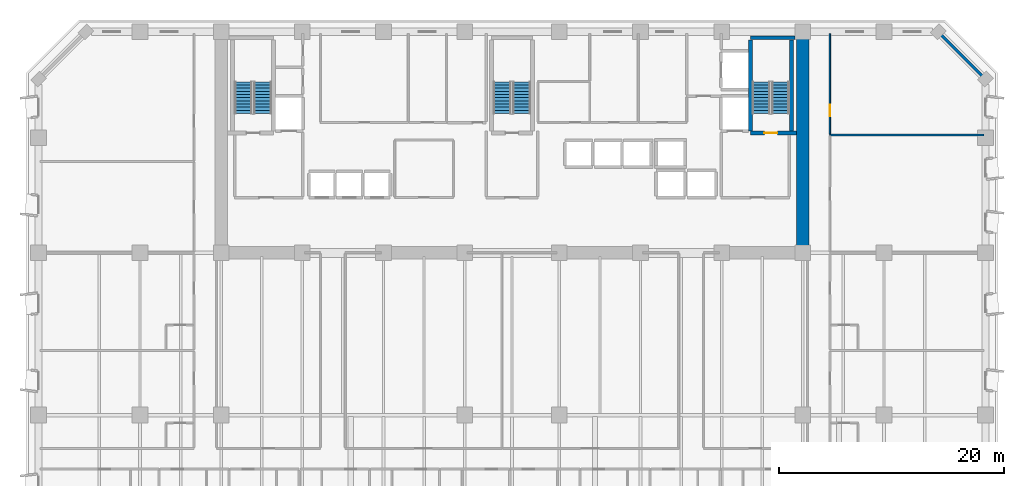
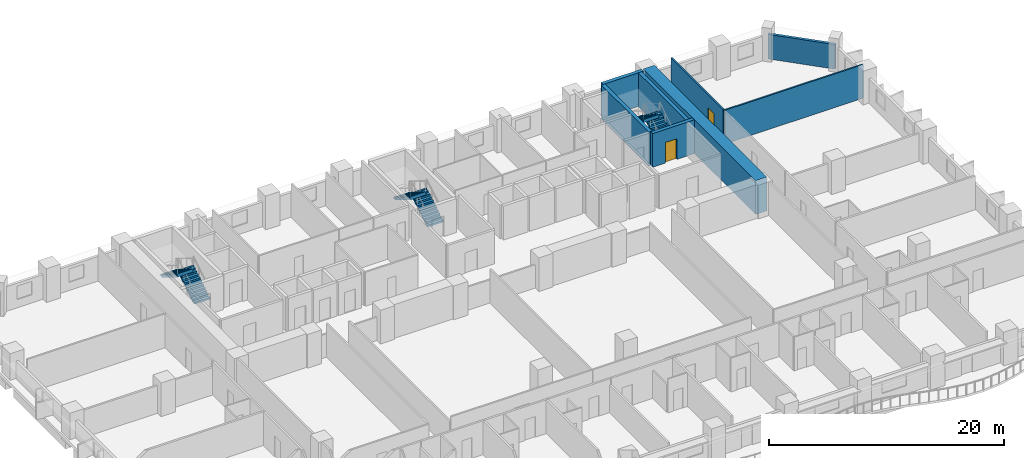
# One storey, part 11 of 15: 8 walls, 6 stair flights, 2 doors, 2 openings, 3 elements without a shape of their own.
"""IFC4 building model written with IfcOpenShell, lengths in metres."""

from ifc_helpers import new_model, si_unit, direction, frame, frame_2d, origin, place, context, subcontext, project, spatial, polyline, rectangle, outline, extrude, material, layer, layer_set, type_object, element, fill, aggregate, save


model = new_model("IFC4")

# Units and contexts
model_context = context("Model", 3, precision=1e-05, world=origin(), true_north=direction((0.0, 1.0)))
body_context = subcontext(model_context, "Body", "Model", "MODEL_VIEW")
ifc_project = project(units=[si_unit("LENGTHUNIT", "METRE"), si_unit("AREAUNIT", "SQUARE_METRE"), si_unit("VOLUMEUNIT", "CUBIC_METRE"), si_unit("PLANEANGLEUNIT", "RADIAN"), si_unit("MASSUNIT", "GRAM", prefix="KILO")], contexts=[model_context])

# Site, building, storey
site_placement = place(None, origin())
site = spatial("IfcSite", under=ifc_project, at=site_placement, CompositionType="ELEMENT")
building_placement = place(site_placement, origin())
building = spatial("IfcBuilding", under=site, at=building_placement, Name="Kaelvorn Grand Hotel", CompositionType="ELEMENT")
storey_placement = place(building_placement, frame((0.0, 0.0, 42.64990234375)))
storey = spatial("IfcBuildingStorey", under=building, at=storey_placement, Name="L08", CompositionType="ELEMENT", Elevation=42.64990234375)

# Walls
ifc_material_1 = material(Name="Concrete C80/95", Category="concrete")
ifc_layer_1 = layer(ifc_material_1, 1.10009765625)
ifc_layer_set_1 = layer_set([ifc_layer_1], Name="Concrete C80/95")
wall_type_1 = type_object("IfcWallType", Name="WL-CORE-1100-C80", PredefinedType="SHEAR", material=ifc_layer_set_1)
wall_1_placement = place(storey_placement, frame((67.800048828125, 29.39990234375, 0.0), z_axis=(0.0, 0.0, 1.0), x_axis=(0.0, 1.0, 0.0)))
element("IfcWall", 1, at=wall_1_placement, inside=storey, type_object=wall_type_1, Name="L08 Rear-Core East Shear Wall", PredefinedType="SHEAR", context=body_context, shape_type="SweptSolid", body=[
    extrude(rectangle(XDim=19.2001953125, YDim=1.10009765625, at=frame_2d((9.60009765625, 0.0))), origin(), (0.0, 0.0, 1.0), 3.510009765625),
])
ifc_material_2 = material(Name="Concrete C40/50", Category="concrete")
ifc_layer_2 = layer(ifc_material_2, 0.260009765625)
ifc_layer_set_2 = layer_set([ifc_layer_2], Name="Concrete C40/50")
wall_type_2 = type_object("IfcWallType", Name="WL-EXT-260-C40", PredefinedType="SOLIDWALL", material=ifc_layer_set_2)
wall_2_placement = place(storey_placement, frame((84.0, 44.800048828125, 0.0), z_axis=(0.0, 0.0, 1.0), x_axis=(-0.707106781187, 0.707106781187, 0.0)))
element("IfcWall", 2, at=wall_2_placement, inside=storey, type_object=wall_type_2, Name="L08 Exterior Architectural Concrete Wall 04", PredefinedType="SOLIDWALL", context=body_context, shape_type="SweptSolid", body=[
    extrude(rectangle(XDim=5.939697265625, YDim=0.260009765625, at=frame_2d((2.9697265625, 0.0))), origin(), (0.0, 0.0, 1.0), 2.56005859375),
])
ifc_material_3 = material(Name="Acoustic Gypsum & Stud Partition")
ifc_layer_3 = layer(ifc_material_3, 0.14990234375)
ifc_layer_set_3 = layer_set([ifc_layer_3], Name="Acoustic Gypsum & Stud Partition")
wall_type_3 = type_object("IfcWallType", Name="WL-PART-150-EI60", PredefinedType="PARTITIONING", material=ifc_layer_set_3)
wall_3_placement = place(storey_placement, frame((70.199951171875, 39.85009765625, 0.0), z_axis=(0.0, 0.0, 1.0), x_axis=(1.0, 0.0, 0.0)))
element("IfcWall", 3, at=wall_3_placement, inside=storey, type_object=wall_type_3, Name="L08 North-East Wellness Fitness Gym N Partition", PredefinedType="PARTITIONING", context=body_context, shape_type="SweptSolid", body=[
    extrude(rectangle(XDim=13.650146484375, YDim=0.14990234375, at=frame_2d((6.8251953125, 0.0))), origin(), (0.0, 0.0, 1.0), 3.510009765625),
])

# Wall, opening, door
wall_4_placement = place(storey_placement, frame((70.199951171875, 39.929931640625, 0.0), z_axis=(0.0, 0.0, 1.0), x_axis=(0.0, 1.0, 0.0)))
wall_4 = element("IfcWall", 4, at=wall_4_placement, inside=storey, type_object=wall_type_3, Name="L08 North-East Private Dining Restaurant W Partition", PredefinedType="PARTITIONING", context=body_context, shape_type="SweptSolid", body=[
    extrude(rectangle(XDim=8.920166015625, YDim=0.14990234375, at=frame_2d((4.4599609375, 0.0))), origin(), (0.0, 0.0, 1.0), 3.510009765625),
])
opening_1_placement = place(wall_4_placement, frame((1.60009765625, 0.0, 0.0)))
opening_1 = element("IfcOpeningElement", 5, at=opening_1_placement, cuts=wall_4, Name="Opening DI3", PredefinedType="OPENING", context=body_context, shape_type="SweptSolid", body=[
    extrude(rectangle(XDim=1.0, YDim=2.14990234375, at=frame_2d((0.5, 1.074951171875))), frame((0.0, 0.0849609375, 0.0), z_axis=(0.0, -1.0, 0.0), x_axis=(1.0, 0.0, 0.0)), (0.0, 0.0, 1.0), 0.169921875),
])
ifc_material_4 = material(Name="Timber Veneer Fire Leaf", Category="wood")
door_type_1 = type_object("IfcDoorType", Name="DR-INT-GUEST-1000x2150", OperationType="NOTDEFINED", PredefinedType="DOOR", material=ifc_material_4)
door_1_placement = place(opening_1_placement, origin())
door_1 = element("IfcDoor", 6, at=door_1_placement, inside=storey, type_object=door_type_1, Name="L08 North-East Private Dining Restaurant Door", OperationType="SINGLE_SWING_RIGHT", OverallHeight=2.14990234375, OverallWidth=1.0, PredefinedType="DOOR", context=body_context, shape_type="SweptSolid", body=[
    extrude(rectangle(XDim=1.0, YDim=2.14990234375, at=frame_2d((0.5, 1.074951171875))), frame((0.0, 0.02490234375, 0.0), z_axis=(0.0, -1.0, 0.0), x_axis=(1.0, 0.0, 0.0)), (0.0, 0.0, 1.0), 0.050048828125),
])
fill(opening_1, door_1)

ifc_material_5 = material(Name="Concrete C60/75", Category="concrete")
ifc_layer_4 = layer(ifc_material_5, 0.35009765625)
ifc_layer_set_4 = layer_set([ifc_layer_4], Name="Concrete C60/75")
wall_type_4 = type_object("IfcWallType", Name="WL-SHAFT-350-C60", PredefinedType="SHEAR", material=ifc_layer_set_4)
wall_5_placement = place(storey_placement, frame((63.14501953125, 40.02490234375, 0.0), z_axis=(0.0, 0.0, 1.0), x_axis=(1.0, 0.0, 0.0)))
wall_5 = element("IfcWall", 7, at=wall_5_placement, inside=storey, type_object=wall_type_4, Name="L08 ST3 Stair Shaft South Wall", PredefinedType="SHEAR", context=body_context, shape_type="SweptSolid", body=[
    extrude(rectangle(XDim=4.10009765625, YDim=0.35009765625, at=frame_2d((2.050048828125, 0.0))), origin(), (0.0, 0.0, 1.0), 3.510009765625),
])
opening_2_placement = place(wall_5_placement, frame((1.239990234375, 0.0, 0.0)))
opening_2 = element("IfcOpeningElement", 8, at=opening_2_placement, cuts=wall_5, Name="Opening DI1", PredefinedType="OPENING", context=body_context, shape_type="SweptSolid", body=[
    extrude(rectangle(XDim=1.14990234375, YDim=2.14990234375, at=frame_2d((0.574951171875, 1.074951171875))), frame((0.0, 0.18505859375, 0.0), z_axis=(0.0, -1.0, 0.0), x_axis=(1.0, 0.0, 0.0)), (0.0, 0.0, 1.0), 0.3701171875),
])
door_type_2 = type_object("IfcDoorType", Name="DR-INT-STAIR-1150x2150", OperationType="NOTDEFINED", PredefinedType="DOOR", material=ifc_material_4)
door_2_placement = place(opening_2_placement, origin())
door_2 = element("IfcDoor", 9, at=door_2_placement, inside=storey, type_object=door_type_2, Name="L08 ST3 Exit Stair Fire Door", OperationType="SINGLE_SWING_LEFT", OverallHeight=2.14990234375, OverallWidth=1.14990234375, PredefinedType="DOOR", context=body_context, shape_type="SweptSolid", body=[
    extrude(rectangle(XDim=1.14990234375, YDim=2.14990234375, at=frame_2d((0.574951171875, 1.074951171875))), frame((0.0, 0.02490234375, 0.0), z_axis=(0.0, -1.0, 0.0), x_axis=(1.0, 0.0, 0.0)), (0.0, 0.0, 1.0), 0.050048828125),
])
fill(opening_2, door_2)

# Walls
wall_6_placement = place(storey_placement, frame((63.14501953125, 48.47509765625, 0.0), z_axis=(0.0, 0.0, 1.0), x_axis=(1.0, 0.0, 0.0)))
element("IfcWall", 10, at=wall_6_placement, inside=storey, type_object=wall_type_4, Name="L08 ST3 Stair Shaft North Wall", PredefinedType="SHEAR", context=body_context, shape_type="SweptSolid", body=[
    extrude(rectangle(XDim=3.949951171875, YDim=0.35009765625, at=frame_2d((1.97509765625, 0.0))), origin(), (0.0, 0.0, 1.0), 3.510009765625),
])
for number, where, z_axis, x_axis, name in (
    (11, (63.14501953125, 40.205078125, 0.0), (0.0, 0.0, 1.0), (0.0, 1.0, 0.0), "L08 ST3 Stair Shaft West Wall"),
    (12, (66.77490234375, 40.205078125, 0.0), (0.0, 0.0, 1.0), (0.0, 1.0, 0.0), "L08 ST3 Stair Shaft East Wall"),
):
    element("IfcWall", number, at=place(storey_placement, frame(where, z_axis=z_axis, x_axis=x_axis)), inside=storey, type_object=wall_type_4, Name=name, PredefinedType="SHEAR", context=body_context, shape_type="SweptSolid", body=[
        extrude(rectangle(XDim=8.08984375, YDim=0.35009765625, at=frame_2d((4.044921875, 0.0))), origin(), (0.0, 0.0, 1.0), 3.510009765625),
    ])

# Stair, stair flights
stair_type = type_object("IfcStairType", Name="STR-DOG-1560-R06", PredefinedType="HALF_TURN_STAIR", material=ifc_material_2)
stair_1_placement = place(storey_placement, origin())
stair_1 = element("IfcStair", 13, at=stair_1_placement, inside=storey, type_object=stair_type, Name="L08 West Core Exit Stair ST1", PredefinedType="HALF_TURN_STAIR")
stair_flight_type = type_object("IfcStairFlightType", Name="FLG-DOG-1560-R06", PredefinedType="STRAIGHT", material=ifc_material_2)
stair_flight_1_placement = place(storey_placement, frame((19.89990234375, 41.760009765625, 0.0), z_axis=(0.0, 0.0, 1.0), x_axis=(0.0, 1.0, 0.0)))
stair_flight_1 = element("IfcStairFlight", 14, at=stair_flight_1_placement, type_object=stair_flight_type, Name="ST1 flight 1", NumberOfRisers=11, NumberOfTreads=10, PredefinedType="STRAIGHT", RiserHeight=0.170454545, TreadLength=0.28, context=body_context, shape_type="SweptSolid", body=[
    extrude(outline(polyline([(-0.0048828125, 0.0), (-0.0048828125, 0.0400390625), (0.0, 0.17041015625), (0.280029296875, 0.17041015625), (0.280029296875, 0.3408203125), (0.56005859375, 0.3408203125), (0.56005859375, 0.511474609375), (0.840087890625, 0.511474609375), (0.840087890625, 0.681884765625), (1.1201171875, 0.681884765625), (1.1201171875, 0.852294921875), (1.39990234375, 0.852294921875), (1.39990234375, 1.022705078125), (1.679931640625, 1.022705078125), (1.679931640625, 1.193115234375), (1.9599609375, 1.193115234375), (1.9599609375, 1.363525390625), (2.239990234375, 1.363525390625), (2.239990234375, 1.5341796875), (2.52001953125, 1.5341796875), (2.52001953125, 1.70458984375), (2.800048828125, 1.70458984375), (2.800048828125, 1.875), (2.804931640625, 1.875), (2.804931640625, 1.529052734375), (0.288330078125, 0.0), (-0.0048828125, 0.0)])), frame((0.0, 0.780029296875, 0.0), z_axis=(0.0, -1.0, 0.0), x_axis=(1.0, 0.0, 0.0)), (0.0, 0.0, 1.0), 1.56005859375),
])
stair_flight_2_placement = place(storey_placement, frame((18.179931640625, 44.56005859375, 1.875), z_axis=(0.0, 0.0, 1.0), x_axis=(0.0, -1.0, 0.0)))
stair_flight_2 = element("IfcStairFlight", 15, at=stair_flight_2_placement, type_object=stair_flight_type, Name="ST1 flight 2", NumberOfRisers=11, NumberOfTreads=10, PredefinedType="STRAIGHT", RiserHeight=0.170454545, TreadLength=0.28, context=body_context, shape_type="SweptSolid", body=[
    extrude(outline(polyline([(-0.0048828125, 0.0), (-0.0048828125, 0.0400390625), (0.0, 0.17041015625), (0.280029296875, 0.17041015625), (0.280029296875, 0.3408203125), (0.56005859375, 0.3408203125), (0.56005859375, 0.511474609375), (0.840087890625, 0.511474609375), (0.840087890625, 0.681884765625), (1.1201171875, 0.681884765625), (1.1201171875, 0.852294921875), (1.39990234375, 0.852294921875), (1.39990234375, 1.022705078125), (1.679931640625, 1.022705078125), (1.679931640625, 1.193115234375), (1.9599609375, 1.193115234375), (1.9599609375, 1.363525390625), (2.239990234375, 1.363525390625), (2.239990234375, 1.5341796875), (2.52001953125, 1.5341796875), (2.52001953125, 1.70458984375), (2.800048828125, 1.70458984375), (2.800048828125, 1.875), (2.804931640625, 1.875), (2.804931640625, 1.529052734375), (0.288330078125, 0.0), (-0.0048828125, 0.0)])), frame((0.0, 0.780029296875, 0.0), z_axis=(0.0, -1.0, 0.0), x_axis=(1.0, 0.0, 0.0)), (0.0, 0.0, 1.0), 1.56005859375),
])
aggregate(stair_1, [stair_flight_1, stair_flight_2])

stair_2_placement = place(storey_placement, origin())
stair_2 = element("IfcStair", 16, at=stair_2_placement, inside=storey, type_object=stair_type, Name="L08 Central Core Exit Stair ST2", PredefinedType="HALF_TURN_STAIR")
stair_flight_3_placement = place(storey_placement, frame((42.860107421875, 41.760009765625, 0.0), z_axis=(0.0, 0.0, 1.0), x_axis=(0.0, 1.0, 0.0)))
stair_flight_3 = element("IfcStairFlight", 17, at=stair_flight_3_placement, type_object=stair_flight_type, Name="ST2 flight 1", NumberOfRisers=11, NumberOfTreads=10, PredefinedType="STRAIGHT", RiserHeight=0.170454545, TreadLength=0.28, context=body_context, shape_type="SweptSolid", body=[
    extrude(outline(polyline([(-0.0048828125, 0.0), (-0.0048828125, 0.0400390625), (0.0, 0.17041015625), (0.280029296875, 0.17041015625), (0.280029296875, 0.3408203125), (0.56005859375, 0.3408203125), (0.56005859375, 0.511474609375), (0.840087890625, 0.511474609375), (0.840087890625, 0.681884765625), (1.1201171875, 0.681884765625), (1.1201171875, 0.852294921875), (1.39990234375, 0.852294921875), (1.39990234375, 1.022705078125), (1.679931640625, 1.022705078125), (1.679931640625, 1.193115234375), (1.9599609375, 1.193115234375), (1.9599609375, 1.363525390625), (2.239990234375, 1.363525390625), (2.239990234375, 1.5341796875), (2.52001953125, 1.5341796875), (2.52001953125, 1.70458984375), (2.800048828125, 1.70458984375), (2.800048828125, 1.875), (2.804931640625, 1.875), (2.804931640625, 1.529052734375), (0.288330078125, 0.0), (-0.0048828125, 0.0)])), frame((0.0, 0.780029296875, 0.0), z_axis=(0.0, -1.0, 0.0), x_axis=(1.0, 0.0, 0.0)), (0.0, 0.0, 1.0), 1.56005859375),
])
stair_flight_4_placement = place(storey_placement, frame((41.139892578125, 44.56005859375, 1.875), z_axis=(0.0, 0.0, 1.0), x_axis=(0.0, -1.0, 0.0)))
stair_flight_4 = element("IfcStairFlight", 18, at=stair_flight_4_placement, type_object=stair_flight_type, Name="ST2 flight 2", NumberOfRisers=11, NumberOfTreads=10, PredefinedType="STRAIGHT", RiserHeight=0.170454545, TreadLength=0.28, context=body_context, shape_type="SweptSolid", body=[
    extrude(outline(polyline([(-0.0048828125, 0.0), (-0.0048828125, 0.0400390625), (0.0, 0.17041015625), (0.280029296875, 0.17041015625), (0.280029296875, 0.3408203125), (0.56005859375, 0.3408203125), (0.56005859375, 0.511474609375), (0.840087890625, 0.511474609375), (0.840087890625, 0.681884765625), (1.1201171875, 0.681884765625), (1.1201171875, 0.852294921875), (1.39990234375, 0.852294921875), (1.39990234375, 1.022705078125), (1.679931640625, 1.022705078125), (1.679931640625, 1.193115234375), (1.9599609375, 1.193115234375), (1.9599609375, 1.363525390625), (2.239990234375, 1.363525390625), (2.239990234375, 1.5341796875), (2.52001953125, 1.5341796875), (2.52001953125, 1.70458984375), (2.800048828125, 1.70458984375), (2.800048828125, 1.875), (2.804931640625, 1.875), (2.804931640625, 1.529052734375), (0.288330078125, 0.0), (-0.0048828125, 0.0)])), frame((0.0, 0.780029296875, 0.0), z_axis=(0.0, -1.0, 0.0), x_axis=(1.0, 0.0, 0.0)), (0.0, 0.0, 1.0), 1.56005859375),
])
aggregate(stair_2, [stair_flight_3, stair_flight_4])

stair_3_placement = place(storey_placement, origin())
stair_3 = element("IfcStair", 19, at=stair_3_placement, inside=storey, type_object=stair_type, Name="L08 East Core Exit Stair ST3", PredefinedType="HALF_TURN_STAIR")
stair_flight_5_placement = place(storey_placement, frame((65.820068359375, 41.760009765625, 0.0), z_axis=(0.0, 0.0, 1.0), x_axis=(0.0, 1.0, 0.0)))
stair_flight_5 = element("IfcStairFlight", 20, at=stair_flight_5_placement, type_object=stair_flight_type, Name="ST3 flight 1", NumberOfRisers=11, NumberOfTreads=10, PredefinedType="STRAIGHT", RiserHeight=0.170454545, TreadLength=0.28, context=body_context, shape_type="SweptSolid", body=[
    extrude(outline(polyline([(-0.0048828125, 0.0), (-0.0048828125, 0.0400390625), (0.0, 0.17041015625), (0.280029296875, 0.17041015625), (0.280029296875, 0.3408203125), (0.56005859375, 0.3408203125), (0.56005859375, 0.511474609375), (0.840087890625, 0.511474609375), (0.840087890625, 0.681884765625), (1.1201171875, 0.681884765625), (1.1201171875, 0.852294921875), (1.39990234375, 0.852294921875), (1.39990234375, 1.022705078125), (1.679931640625, 1.022705078125), (1.679931640625, 1.193115234375), (1.9599609375, 1.193115234375), (1.9599609375, 1.363525390625), (2.239990234375, 1.363525390625), (2.239990234375, 1.5341796875), (2.52001953125, 1.5341796875), (2.52001953125, 1.70458984375), (2.800048828125, 1.70458984375), (2.800048828125, 1.875), (2.804931640625, 1.875), (2.804931640625, 1.529052734375), (0.288330078125, 0.0), (-0.0048828125, 0.0)])), frame((0.0, 0.780029296875, 0.0), z_axis=(0.0, -1.0, 0.0), x_axis=(1.0, 0.0, 0.0)), (0.0, 0.0, 1.0), 1.56005859375),
])
stair_flight_6_placement = place(storey_placement, frame((64.10009765625, 44.56005859375, 1.875), z_axis=(0.0, 0.0, 1.0), x_axis=(0.0, -1.0, 0.0)))
stair_flight_6 = element("IfcStairFlight", 21, at=stair_flight_6_placement, type_object=stair_flight_type, Name="ST3 flight 2", NumberOfRisers=11, NumberOfTreads=10, PredefinedType="STRAIGHT", RiserHeight=0.170454545, TreadLength=0.28, context=body_context, shape_type="SweptSolid", body=[
    extrude(outline(polyline([(-0.0048828125, 0.0), (-0.0048828125, 0.0400390625), (0.0, 0.17041015625), (0.280029296875, 0.17041015625), (0.280029296875, 0.3408203125), (0.56005859375, 0.3408203125), (0.56005859375, 0.511474609375), (0.840087890625, 0.511474609375), (0.840087890625, 0.681884765625), (1.1201171875, 0.681884765625), (1.1201171875, 0.852294921875), (1.39990234375, 0.852294921875), (1.39990234375, 1.022705078125), (1.679931640625, 1.022705078125), (1.679931640625, 1.193115234375), (1.9599609375, 1.193115234375), (1.9599609375, 1.363525390625), (2.239990234375, 1.363525390625), (2.239990234375, 1.5341796875), (2.52001953125, 1.5341796875), (2.52001953125, 1.70458984375), (2.800048828125, 1.70458984375), (2.800048828125, 1.875), (2.804931640625, 1.875), (2.804931640625, 1.529052734375), (0.288330078125, 0.0), (-0.0048828125, 0.0)])), frame((0.0, 0.780029296875, 0.0), z_axis=(0.0, -1.0, 0.0), x_axis=(1.0, 0.0, 0.0)), (0.0, 0.0, 1.0), 1.56005859375),
])
aggregate(stair_3, [stair_flight_5, stair_flight_6])

save(model, "model.ifc")
